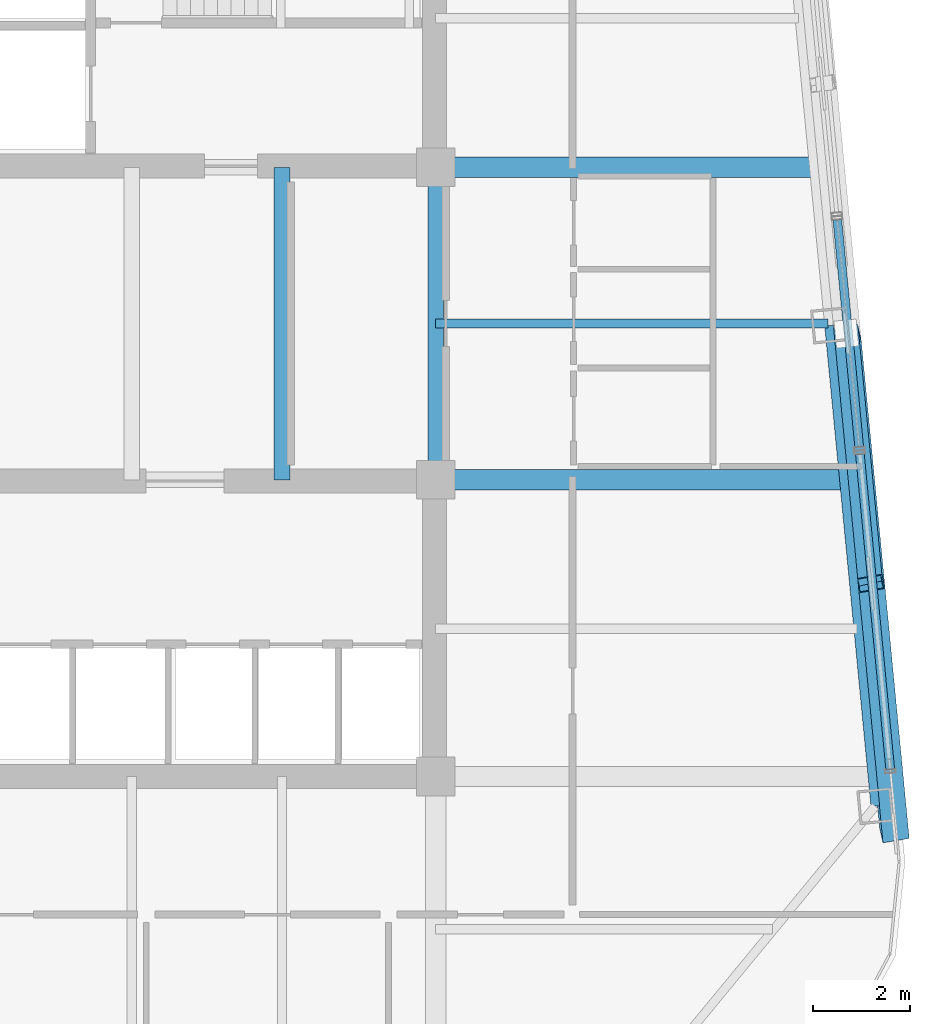
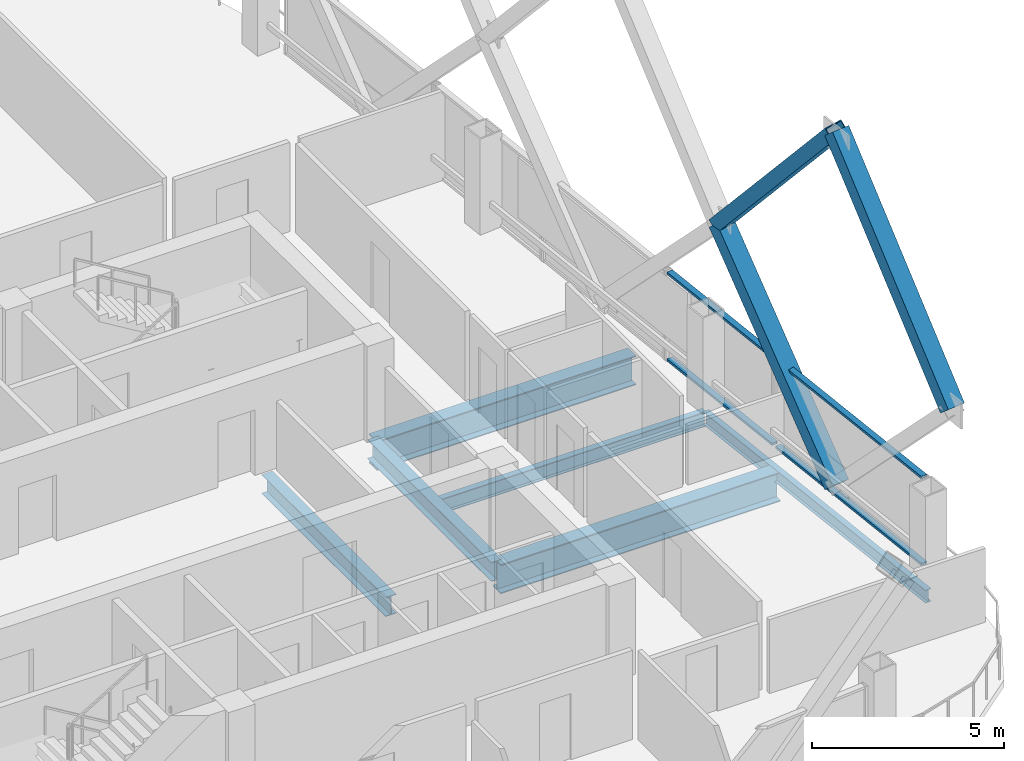
# One storey, part 14 of 34: 7 members, 6 beams, 2 elements without a shape of their own.
"""IFC4 building model written with IfcOpenShell, lengths in metres."""

import ifcopenshell
import ifcopenshell.guid

model = None  # the IFC model being written
_history = None  # IfcOwnerHistory: only IFC2X3 demands one
_inside = {}  # id of a spatial element -> (the spatial element, [elements in it])
_under = {}  # id of a project, library or spatial element -> (it, [spatial elements below it])
_declared = {}  # id of a project -> (the project, [libraries it declares])
_typed = {}  # id of a type object -> (the type object, [elements of that type])
_made_of = {}  # id of a material, layer set ... -> (it, [elements and type objects made of it])


def new_model(schema):
    """Start an empty IFC model of exactly this schema.

    Asked for "IFC4X3", IfcOpenShell would pick the latest addendum, in which some entities
    have other attributes; the version numbers below select the first issue.
    IFC2X3 requires an IfcOwnerHistory on every rooted entity: one is made here for all.
    """
    global model, _history
    if schema == "IFC4X3":
        model = ifcopenshell.file(schema_version=(4, 3, 0, 0))
    else:
        model = ifcopenshell.file(schema=schema)
    _inside.clear()
    _under.clear()
    _declared.clear()
    _typed.clear()
    _made_of.clear()
    _history = None
    if model.schema == "IFC2X3":
        org = make("IfcOrganization", Name="unknown")
        user = make(
            "IfcPersonAndOrganization",
            ThePerson=make("IfcPerson", FamilyName="unknown"),
            TheOrganization=org,
        )
        app = make(
            "IfcApplication",
            ApplicationDeveloper=org,
            Version="unknown",
            ApplicationFullName="unknown",
            ApplicationIdentifier="unknown",
        )
        _history = make(
            "IfcOwnerHistory",
            OwningUser=user,
            OwningApplication=app,
            ChangeAction="ADDED",
            CreationDate=0,
        )
    return model


def make(cls, **values):
    """One entity of the class cls with the attributes given. An attribute that is None is left unset."""
    return model.create_entity(
        cls, **{name: value for name, value in values.items() if value is not None}
    )


def rooted(cls, **values):
    """An entity with a GlobalId (a new one), such as an element, a storey or a relation."""
    return make(cls, GlobalId=ifcopenshell.guid.new(), OwnerHistory=_history, **values)


def si_unit(unit_type, name, prefix=None):
    """IfcSIUnit, for example si_unit("LENGTHUNIT", "METRE", prefix="MILLI")."""
    return make("IfcSIUnit", UnitType=unit_type, Prefix=prefix, Name=name)


def assignment(units):
    """IfcUnitAssignment: the units of a project."""
    return None if units is None else make("IfcUnitAssignment", Units=units)


def point(xyz):
    """IfcCartesianPoint."""
    return None if xyz is None else make("IfcCartesianPoint", Coordinates=xyz)


def direction(xyz):
    """IfcDirection."""
    return None if xyz is None else make("IfcDirection", DirectionRatios=xyz)


def frame(location, z_axis=None, x_axis=None):
    """IfcAxis2Placement3D, a coordinate frame: its origin and axes. An axis left out is left unset."""
    return make(
        "IfcAxis2Placement3D",
        Location=point(location),
        Axis=direction(z_axis),
        RefDirection=direction(x_axis),
    )


def frame_2d(location, x_axis=None):
    """IfcAxis2Placement2D, a coordinate frame in the plane: its origin and x axis."""
    return make(
        "IfcAxis2Placement2D", Location=point(location), RefDirection=direction(x_axis)
    )


def origin():
    """The frame at (0, 0, 0) with its axes left unset."""
    return frame((0.0, 0.0, 0.0))


def origin_2d():
    """The frame at (0, 0) in the plane with its x axis left unset."""
    return frame_2d((0.0, 0.0))


def place(relative_to, where):
    """IfcLocalPlacement: puts the frame where relative to a parent placement (None: the world)."""
    return make(
        "IfcLocalPlacement", PlacementRelTo=relative_to, RelativePlacement=where
    )


def context(
    kind, dimensions, precision=None, world=None, true_north=None, identifier=None
):
    """IfcGeometricRepresentationContext, for example the 3D "Model" context."""
    return make(
        "IfcGeometricRepresentationContext",
        ContextIdentifier=identifier,
        ContextType=kind,
        CoordinateSpaceDimension=dimensions,
        Precision=precision,
        WorldCoordinateSystem=world,
        TrueNorth=true_north,
    )


def subcontext(parent, identifier, kind, view, scale=None):
    """IfcGeometricRepresentationSubContext, for example "Body" below "Model"."""
    return make(
        "IfcGeometricRepresentationSubContext",
        ContextIdentifier=identifier,
        ContextType=kind,
        ParentContext=parent,
        TargetScale=scale,
        TargetView=view,
    )


def project(units=None, contexts=None):
    """IfcProject with its units and contexts."""
    return rooted(
        "IfcProject",
        Name="project",
        RepresentationContexts=contexts,
        UnitsInContext=assignment(units),
    )


def spatial(cls, under=None, at=None, **own):
    """A site, building, storey or space (cls), placed at a placement, below another one or the project."""
    s = rooted(cls, ObjectPlacement=at, **own)
    if under is not None:
        _under.setdefault(under.id(), (under, []))[1].append(s)
    return s


def profile(cls, at=None, kind="AREA", **sizes):
    """A parametric profile (cls). Its sizes go by their IFC names, for example OverallWidth=200.0."""
    return make(cls, ProfileType=kind, Position=at, **sizes)


def hollow_rectangle(**sizes):
    """IfcRectangleHollowProfileDef."""
    return profile("IfcRectangleHollowProfileDef", **sizes)


def i_section(**sizes):
    """IfcIShapeProfileDef."""
    return profile("IfcIShapeProfileDef", **sizes)


def extrude(swept, where, along, depth):
    """IfcExtrudedAreaSolid: the profile swept, set in the frame where, extruded along a direction by depth."""
    return make(
        "IfcExtrudedAreaSolid",
        SweptArea=swept,
        Position=where,
        ExtrudedDirection=direction(along),
        Depth=depth,
    )


def shape(context_of_items, identifier, shape_type, items):
    """IfcShapeRepresentation: the items that make up one representation, for example the "Body"."""
    return make(
        "IfcShapeRepresentation",
        ContextOfItems=context_of_items,
        RepresentationIdentifier=identifier,
        RepresentationType=shape_type,
        Items=items,
    )


def material(Name=None, Category=None):
    """IfcMaterial."""
    return make("IfcMaterial", Name=Name, Category=Category)


def layer(
    of_material, thickness, ventilated=None, Name=None, Category=None, Priority=None
):
    """IfcMaterialLayer: one layer of a wall or slab, of a material (None: an air gap)."""
    return make(
        "IfcMaterialLayer",
        Material=of_material,
        LayerThickness=thickness,
        IsVentilated=ventilated,
        Name=Name,
        Category=Category,
        Priority=Priority,
    )


def layer_set(layers, Name=None):
    """IfcMaterialLayerSet."""
    return make("IfcMaterialLayerSet", MaterialLayers=layers, LayerSetName=Name)


def material_profile(
    of_material, cross_section, Name=None, Category=None, Priority=None
):
    """IfcMaterialProfile: a cross section and its material."""
    return make(
        "IfcMaterialProfile",
        Name=Name,
        Material=of_material,
        Profile=cross_section,
        Priority=Priority,
        Category=Category,
    )


def profile_set(profiles, Name=None, composite=None):
    """IfcMaterialProfileSet."""
    return make(
        "IfcMaterialProfileSet",
        Name=Name,
        MaterialProfiles=profiles,
        CompositeProfile=composite,
    )


def made_of(thing, what):
    """Note that an element or type object is made of a material, layer set ...; save() writes the relation."""
    if what is not None:
        _made_of.setdefault(what.id(), (what, []))[1].append(thing)
    return thing


def type_object(cls, material=None, **own):
    """A type object (cls), such as IfcWallType, which elements share."""
    return made_of(rooted(cls, **own), material)


def element(
    cls,
    number,
    at=None,
    inside=None,
    cuts=None,
    type_object=None,
    material=None,
    context=None,
    identifier="Body",
    shape_type=None,
    held_by="IfcProductDefinitionShape",
    body=None,
    shapes=None,
    **own,
):
    """One element of the class cls, such as IfcWall. Its Tag is "e" and its number.

    at: its placement. inside: the storey or other place that contains it. cuts: it is an
    opening in that element (IfcRelVoidsElement). A single representation is given by context,
    identifier, shape_type and body (its items); several are given by shapes. held_by: the class
    of the entity that holds the representations. save() writes the other relations.
    """
    e = rooted(cls, Tag="e%d" % number, ObjectPlacement=at, **own)
    if body is not None:
        shapes = [shape(context, identifier, shape_type, body)]
    if shapes is not None:
        e.Representation = make(held_by, Representations=shapes)
    if inside is not None:
        _inside.setdefault(inside.id(), (inside, []))[1].append(e)
    if cuts is not None:
        rooted(
            "IfcRelVoidsElement", RelatingBuildingElement=cuts, RelatedOpeningElement=e
        )
    if type_object is not None:
        _typed.setdefault(type_object.id(), (type_object, []))[1].append(e)
    return made_of(e, material)


def aggregate(whole, parts):
    """IfcRelAggregates: a whole, such as a stair, and the parts it consists of."""
    return rooted("IfcRelAggregates", RelatingObject=whole, RelatedObjects=parts)


def save(model, path):
    """Write the relations noted so far, then the file.

    IfcRelAggregates (storeys below a building ...), IfcRelContainedInSpatialStructure (elements
    in a storey), IfcRelDefinesByType, IfcRelAssociatesMaterial and IfcRelDeclares: one each for
    every whole, place, type object, material and project.
    """
    for whole, parts in _under.values():
        aggregate(whole, parts)
    for where, things in _inside.values():
        rooted(
            "IfcRelContainedInSpatialStructure",
            RelatedElements=things,
            RelatingStructure=where,
        )
    for kind, things in _typed.values():
        rooted("IfcRelDefinesByType", RelatedObjects=things, RelatingType=kind)
    for what, things in _made_of.values():
        rooted("IfcRelAssociatesMaterial", RelatedObjects=things, RelatingMaterial=what)
    for by, libraries in _declared.values():
        rooted("IfcRelDeclares", RelatingContext=by, RelatedDefinitions=libraries)
    model.write(path)


model = new_model("IFC4")

# Units and contexts
model_context = context("Model", 3, precision=1e-05, world=origin(), true_north=direction((0.0, 1.0)))
body_context = subcontext(model_context, "Body", "Model", "MODEL_VIEW")
ifc_project = project(units=[si_unit("LENGTHUNIT", "METRE"), si_unit("AREAUNIT", "SQUARE_METRE"), si_unit("VOLUMEUNIT", "CUBIC_METRE"), si_unit("PLANEANGLEUNIT", "RADIAN"), si_unit("MASSUNIT", "GRAM", prefix="KILO")], contexts=[model_context])

# Site, building, storey
site_placement = place(None, origin())
site = spatial("IfcSite", under=ifc_project, at=site_placement, CompositionType="ELEMENT")
building_placement = place(site_placement, origin())
building = spatial("IfcBuilding", under=site, at=building_placement, Name="Qhalaya Broadcast Tower", CompositionType="ELEMENT")
storey_placement = place(building_placement, frame((0.0, 0.0, 168.35009765625)))
storey = spatial("IfcBuildingStorey", under=building, at=storey_placement, Name="L49", CompositionType="ELEMENT", Elevation=168.35009765625)

# Beams
ifc_material_1 = material(Name="Structural Steel ASTM A992 Grade 50", Category="steel")
ifc_material_profile_1 = material_profile(ifc_material_1, i_section(OverallWidth=0.19189453125, OverallDepth=0.462890625, WebThickness=0.010498046875, FlangeThickness=0.017578125, at=origin_2d()), Name="W18X60")
ifc_profile_set_1 = profile_set([ifc_material_profile_1], Name="Structural Steel ASTM A992 Grade 50")
beam_type_1 = type_object("IfcBeamType", Name="Composite Floor Joist J03", PredefinedType="JOIST", material=ifc_profile_set_1)
beam_1_placement = place(storey_placement, frame((9.375, 0.60009765625, -0.45166015625), z_axis=(1.0, 0.0, 0.0), x_axis=(0.0, 1.0, 0.0)))
element("IfcBeam", 1, at=beam_1_placement, inside=storey, type_object=beam_type_1, Name="L49 J03 L49-JWE4E-1", PredefinedType="JOIST", context=body_context, shape_type="SweptSolid", body=[
    extrude(i_section(OverallWidth=0.19189453125, OverallDepth=0.462890625, WebThickness=0.010498046875, FlangeThickness=0.017578125, at=origin_2d()), origin(), (0.0, 0.0, 1.0), 8.093505859375),
])
ifc_material_profile_2 = material_profile(ifc_material_1, i_section(OverallWidth=0.323974609375, OverallDepth=0.612060546875, WebThickness=0.0126953125, FlangeThickness=0.01904296875, at=origin_2d()), Name="W24X104")
ifc_profile_set_2 = profile_set([ifc_material_profile_2], Name="Structural Steel ASTM A992 Grade 50")
beam_type_2 = type_object("IfcBeamType", Name="Core Frame Tie Beam B04", PredefinedType="BEAM", material=ifc_profile_set_2)
for number, where, z_axis, x_axis, name in (
    (2, (9.375, -2.625, -0.526123046875), (0.0, 1.0, 0.0), (-1.0, 0.0, 0.0), "L49 B04 L49-CCE"),
    (3, (6.199951171875, -2.625, -0.526123046875), (0.0, 1.0, 0.0), (-1.0, 0.0, 0.0), "L49 B04 L49-JC5-1"),
):
    element("IfcBeam", number, at=place(storey_placement, frame(where, z_axis=z_axis, x_axis=x_axis)), inside=storey, type_object=beam_type_2, Name=name, PredefinedType="BEAM", context=body_context, shape_type="SweptSolid", body=[
        extrude(i_section(OverallWidth=0.323974609375, OverallDepth=0.612060546875, WebThickness=0.0126953125, FlangeThickness=0.01904296875, at=origin_2d()), origin(), (0.0, 0.0, 1.0), 6.449951171875),
    ])

# Members
ifc_material_2 = material(Name="Structural Steel ASTM A572 Grade 50", Category="steel")
ifc_material_profile_3 = material_profile(ifc_material_2, hollow_rectangle(XDim=0.39990234375, YDim=0.550048828125, WallThickness=0.02490234375, at=origin_2d()), Name="BOX 400x550x25")
ifc_profile_set_3 = profile_set([ifc_material_profile_3], Name="Structural Steel ASTM A572 Grade 50")
member_type_1 = type_object("IfcMemberType", Name="Exoskeleton Diamond Diagonal Mid-High EX3", PredefinedType="BRACE", material=ifc_profile_set_3)
member_1_placement = place(storey_placement, frame((18.346923828125, -4.76708984375, 0.35986328125), z_axis=(-0.066502760768, 0.690615647814, 0.72015790616), x_axis=(0.164114880845, -0.704354882738, 0.690616033009)))
element("IfcMember", 4, at=member_1_placement, inside=storey, type_object=member_type_1, Name="B4 Exoskeleton Diamond Brace E1-D2", PredefinedType="BRACE", context=body_context, shape_type="SweptSolid", body=[
    extrude(hollow_rectangle(XDim=0.39990234375, YDim=0.550048828125, WallThickness=0.02490234375, at=origin_2d()), origin(), (0.0, 0.0, 1.0), 7.470703125),
])
for number, where, z_axis, x_axis, name in (
    (5, (18.84375, -9.926513671875, 5.739990234375), (-0.063505717979, 0.659492058015, 0.749024198007), (0.166869020586, -0.73295598109, 0.65949242585), "B4 Exoskeleton Diamond Brace E1-D3"),
    (6, (17.85009765625, 0.392333984375, 5.739990234375), (0.063505717979, -0.659492058015, 0.749024198007), (-0.166869020586, 0.73295598109, 0.65949242585), "B4 Exoskeleton Diamond Brace E1-D4"),
):
    element("IfcMember", number, at=place(storey_placement, frame(where, z_axis=z_axis, x_axis=x_axis)), inside=storey, type_object=member_type_1, Name=name, PredefinedType="BRACE", context=body_context, shape_type="SweptSolid", body=[
        extrude(hollow_rectangle(XDim=0.39990234375, YDim=0.550048828125, WallThickness=0.02490234375, at=origin_2d()), origin(), (0.0, 0.0, 1.0), 7.8232421875),
    ])

# Beams
ifc_material_profile_4 = material_profile(ifc_material_1, i_section(OverallWidth=0.4189453125, OverallDepth=0.927001953125, WebThickness=0.019287109375, FlangeThickness=0.031982421875, at=origin_2d()), Name="W36X231")
ifc_profile_set_4 = profile_set([ifc_material_profile_4], Name="Structural Steel ASTM A992 Grade 50")
beam_type_3 = type_object("IfcBeamType", Name="Mid Block Primary Girder PG3", PredefinedType="USERDEFINED", material=ifc_profile_set_4)
beam_2_placement = place(storey_placement, frame((9.375, -2.625, -0.68359375), z_axis=(1.0, 0.0, 0.0), x_axis=(0.0, 1.0, 0.0)))
element("IfcBeam", 7, at=beam_2_placement, inside=storey, type_object=beam_type_3, Name="L49 PG3 L49-PGYE2-1", ObjectType="GIRDER", PredefinedType="USERDEFINED", context=body_context, shape_type="SweptSolid", body=[
    extrude(i_section(OverallWidth=0.4189453125, OverallDepth=0.927001953125, WebThickness=0.019287109375, FlangeThickness=0.031982421875, at=origin_2d()), origin(), (0.0, 0.0, 1.0), 8.404052734375),
])
beam_3_placement = place(storey_placement, frame((9.375, 3.824951171875, -0.68359375), z_axis=(1.0, 0.0, 0.0), x_axis=(0.0, 1.0, 0.0)))
element("IfcBeam", 8, at=beam_3_placement, inside=storey, type_object=beam_type_3, Name="L49 PG3 L49-PGYE3-1", ObjectType="GIRDER", PredefinedType="USERDEFINED", context=body_context, shape_type="SweptSolid", body=[
    extrude(i_section(OverallWidth=0.4189453125, OverallDepth=0.927001953125, WebThickness=0.019287109375, FlangeThickness=0.031982421875, at=origin_2d()), origin(), (0.0, 0.0, 1.0), 7.782958984375),
])

# Curtain wall, members
ifc_material_3 = material(Name="Fired Architectural Terracotta", Category="masonry")
ifc_layer_1 = layer(ifc_material_3, 0.219970703125, Name="Fired Architectural Terracotta")
ifc_layer_set_1 = layer_set([ifc_layer_1], Name="Fired Architectural Terracotta")
curtain_wall_type_1 = type_object("IfcCurtainWallType", Name="Block-Cap Unitised Terracotta Spandrel Wall CW-07", PredefinedType="NOTDEFINED", material=ifc_layer_set_1)
curtain_wall_1_placement = place(storey_placement, origin())
curtain_wall_1 = element("IfcCurtainWall", 9, at=curtain_wall_1_placement, inside=storey, type_object=curtain_wall_type_1, Name="L49 Unitised Curtain Wall L49-CW-E1", PredefinedType="NOTDEFINED")
ifc_material_4 = material(Name="Anodised Aluminium 6063-T6", Category="aluminium")
ifc_material_profile_5 = material_profile(ifc_material_4, hollow_rectangle(XDim=0.074951171875, YDim=0.179931640625, WallThickness=0.00390625, at=origin_2d()), Name="ALU-TRN 75x180x4")
ifc_profile_set_5 = profile_set([ifc_material_profile_5], Name="Anodised Aluminium 6063-T6")
member_type_2 = type_object("IfcMemberType", Name="Unitised Curtain-Wall Transom T01", PredefinedType="USERDEFINED", material=ifc_profile_set_5)
member_2_placement = place(storey_placement, frame((18.756591796875, -8.603759765625, 0.037353515625), z_axis=(-0.09584906286, 0.995395879612, 0.0), x_axis=(0.0, 0.0, 1.0)))
member_2 = element("IfcMember", 10, at=member_2_placement, type_object=member_type_2, Name="CW-07 transom 1.1", ObjectType="TRANSOM", PredefinedType="USERDEFINED", context=body_context, shape_type="SweptSolid", body=[
    extrude(hollow_rectangle(XDim=0.074951171875, YDim=0.179931640625, WallThickness=0.00390625, at=origin_2d()), origin(), (0.0, 0.0, 1.0), 6.535888671875),
])
member_3_placement = place(storey_placement, frame((18.756591796875, -8.603759765625, 2.79248046875), z_axis=(-0.09584906286, 0.995395879612, 0.0), x_axis=(0.0, 0.0, 1.0)))
member_3 = element("IfcMember", 11, at=member_3_placement, type_object=member_type_2, Name="CW-07 transom 1.2", ObjectType="TRANSOM", PredefinedType="USERDEFINED", context=body_context, shape_type="SweptSolid", body=[
    extrude(hollow_rectangle(XDim=0.074951171875, YDim=0.179931640625, WallThickness=0.00390625, at=origin_2d()), origin(), (0.0, 0.0, 1.0), 6.535888671875),
])
aggregate(curtain_wall_1, [member_2, member_3])

ifc_material_5 = material(Name="Solar-Control Low-E Triple Glazing", Category="glass")
ifc_layer_2 = layer(ifc_material_5, 0.219970703125, Name="Solar-Control Low-E Triple Glazing")
ifc_layer_set_2 = layer_set([ifc_layer_2], Name="Solar-Control Low-E Triple Glazing")
curtain_wall_type_2 = type_object("IfcCurtainWallType", Name="Even-Block 4-Storey Double-Module Curtain Wall CW-03", PredefinedType="NOTDEFINED", material=ifc_layer_set_2)
curtain_wall_2_placement = place(storey_placement, origin())
curtain_wall_2 = element("IfcCurtainWall", 12, at=curtain_wall_2_placement, inside=storey, type_object=curtain_wall_type_2, Name="L49 Unitised Curtain Wall L49-CW-E2", PredefinedType="NOTDEFINED")
member_4_placement = place(storey_placement, frame((18.11572265625, -1.94873046875, 0.037353515625), z_axis=(-0.095819050608, 0.995398769107, 0.0), x_axis=(0.0, 0.0, 1.0)))
member_4 = element("IfcMember", 13, at=member_4_placement, type_object=member_type_2, Name="CW-03 transom 1.1", ObjectType="TRANSOM", PredefinedType="USERDEFINED", context=body_context, shape_type="SweptSolid", body=[
    extrude(hollow_rectangle(XDim=0.074951171875, YDim=0.179931640625, WallThickness=0.00390625, at=origin_2d()), origin(), (0.0, 0.0, 1.0), 4.711181640625),
])
member_5_placement = place(storey_placement, frame((18.11572265625, -1.94873046875, 2.79248046875), z_axis=(-0.095819050608, 0.995398769107, 0.0), x_axis=(0.0, 0.0, 1.0)))
member_5 = element("IfcMember", 14, at=member_5_placement, type_object=member_type_2, Name="CW-03 transom 1.2", ObjectType="TRANSOM", PredefinedType="USERDEFINED", context=body_context, shape_type="SweptSolid", body=[
    extrude(hollow_rectangle(XDim=0.074951171875, YDim=0.179931640625, WallThickness=0.00390625, at=origin_2d()), origin(), (0.0, 0.0, 1.0), 4.711181640625),
])
aggregate(curtain_wall_2, [member_4, member_5])

# Beam
ifc_material_profile_6 = material_profile(ifc_material_1, i_section(OverallWidth=0.177978515625, OverallDepth=0.406005859375, WebThickness=0.0078125, FlangeThickness=0.0126953125, at=origin_2d()), Name="W16X40")
ifc_profile_set_6 = profile_set([ifc_material_profile_6], Name="Structural Steel ASTM A992 Grade 50")
beam_type_4 = type_object("IfcBeamType", Name="Upper Perimeter Spandrel Beam SP2", PredefinedType="SPANDREL", material=ifc_profile_set_6)
beam_4_placement = place(storey_placement, frame((18.44775390625, -9.362060546875, -0.423095703125), z_axis=(-0.095826293365, 0.995398071879, 0.0), x_axis=(-0.995398071879, -0.095826293365, 0.0)))
element("IfcBeam", 15, at=beam_4_placement, inside=storey, type_object=beam_type_4, Name="L49 SP2 L49-SPR-05", PredefinedType="SPANDREL", context=body_context, shape_type="SweptSolid", body=[
    extrude(i_section(OverallWidth=0.177978515625, OverallDepth=0.406005859375, WebThickness=0.0078125, FlangeThickness=0.0126953125, at=origin_2d()), origin(), (0.0, 0.0, 1.0), 9.966796875),
])

save(model, "model.ifc")
